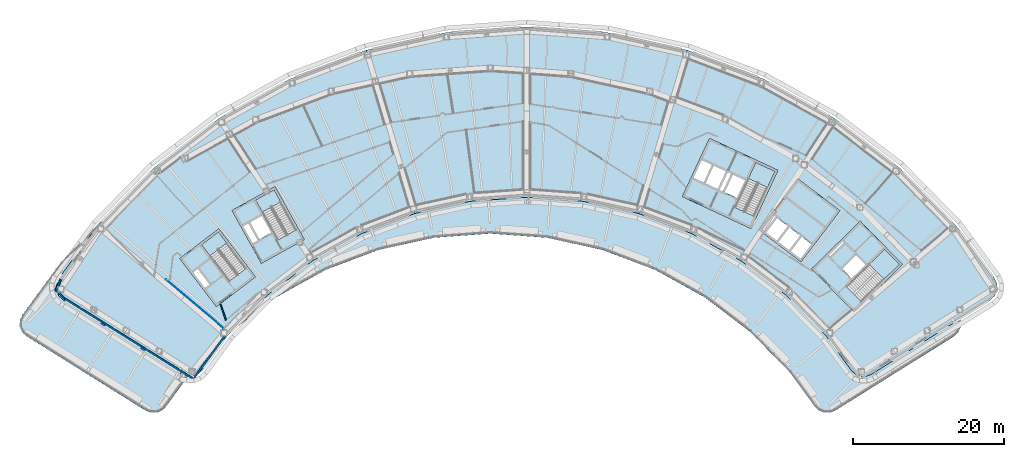
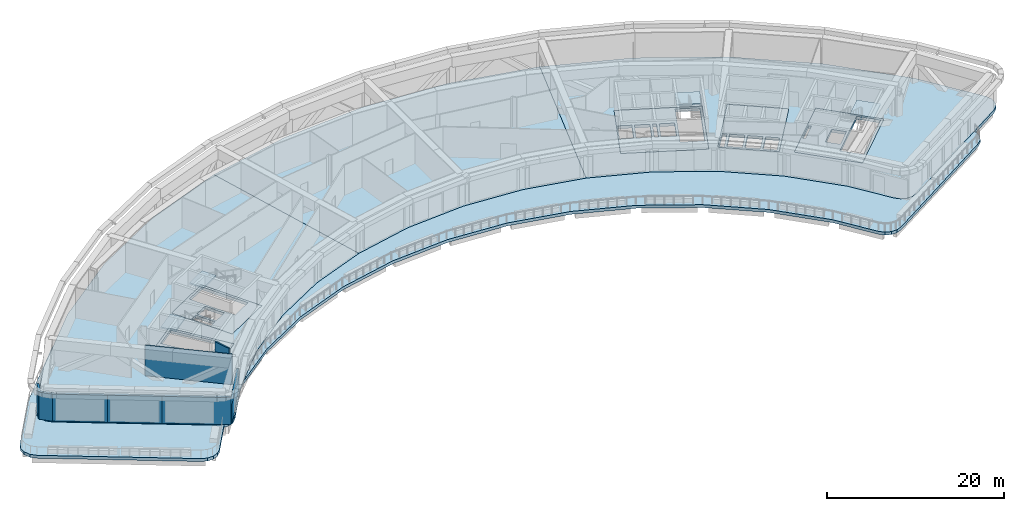
# One storey, part 6 of 25: 14 slabs, 8 walls, 4 elements without a shape of their own.
"""IFC4 building model written with IfcOpenShell, lengths in metres."""

from ifc_helpers import new_model, si_unit, direction, frame, frame_2d, origin, place, context, subcontext, project, spatial, polyline, rectangle, outline, extrude, material, layer, layer_set, type_object, element, aggregate, save


model = new_model("IFC4")

# Units and contexts
model_context = context("Model", 3, precision=1e-05, world=origin(), true_north=direction((0.0, 1.0)))
body_context = subcontext(model_context, "Body", "Model", "MODEL_VIEW")
ifc_project = project(units=[si_unit("LENGTHUNIT", "METRE"), si_unit("AREAUNIT", "SQUARE_METRE"), si_unit("VOLUMEUNIT", "CUBIC_METRE"), si_unit("PLANEANGLEUNIT", "RADIAN"), si_unit("MASSUNIT", "GRAM", prefix="KILO")], contexts=[model_context])

# Site, building, storey
site_placement = place(None, origin())
site = spatial("IfcSite", under=ifc_project, at=site_placement, CompositionType="ELEMENT")
building_placement = place(site_placement, origin())
building = spatial("IfcBuilding", under=site, at=building_placement, Name="Tuul Gate Civic Tower", CompositionType="ELEMENT")
storey_placement = place(building_placement, frame((0.0, 0.0, 60.89990234375)))
storey = spatial("IfcBuildingStorey", under=building, at=storey_placement, Name="Plant and refuge floor 2", CompositionType="ELEMENT", Elevation=60.89990234375)

# Slabs
ifc_material_1 = material(Name="Concrete C40/50", Category="concrete")
ifc_layer_1 = layer(ifc_material_1, 0.39990234375)
ifc_layer_set_1 = layer_set([ifc_layer_1], Name="Concrete C40/50")
slab_type_1 = type_object("IfcSlabType", Name="Core floor slab 400", PredefinedType="FLOOR", material=ifc_layer_set_1)
slab_1_placement = place(storey_placement, frame((0.0, 0.0, -0.400146484375)))
element("IfcSlab", 1, at=slab_1_placement, inside=storey, type_object=slab_type_1, Name="FLOOR SLAB", PredefinedType="FLOOR", context=body_context, shape_type="SweptSolid", body=[
    extrude(outline(polyline([(-31.10009765625, -13.7890625), (-35.946044921875, -7.423828125), (-41.11767578125, -11.361572265625), (-36.271484375, -17.726806640625), (-31.10009765625, -13.7890625)]), holes=[polyline([(-37.19287109375, -14.783203125), (-38.737548828125, -12.75439453125), (-39.45361328125, -13.299560546875), (-37.908935546875, -15.328369140625), (-37.19287109375, -14.783203125)]), polyline([(-32.33935546875, -12.65771484375), (-34.56591796875, -14.352783203125), (-38.229736328125, -9.54052734375), (-36.003173828125, -7.845458984375), (-32.33935546875, -12.65771484375)])]), origin(), (0.0, 0.0, 1.0), 0.400146484375),
])
slab_2_placement = place(storey_placement, frame((0.0, 0.0, -0.400146484375)))
element("IfcSlab", 2, at=slab_2_placement, inside=storey, type_object=slab_type_1, Name="FLOOR SLAB", PredefinedType="FLOOR", context=body_context, shape_type="SweptSolid", body=[
    extrude(outline(polyline([(-24.638916015625, -8.846923828125), (-28.51708984375, -1.849853515625), (-34.2021484375, -5.0009765625), (-30.32421875, -11.998046875), (-24.638916015625, -8.846923828125)]), holes=[polyline([(-29.0185546875, -7.958740234375), (-30.254638671875, -5.728515625), (-31.785400390625, -6.576904296875), (-30.54931640625, -8.80712890625), (-29.0185546875, -7.958740234375)]), polyline([(-30.8115234375, -8.95263671875), (-32.047607421875, -6.72216796875), (-32.8349609375, -7.158447265625), (-31.5986328125, -9.388916015625), (-30.8115234375, -8.95263671875)]), polyline([(-25.702392578125, -7.548828125), (-28.14990234375, -8.905517578125), (-31.08203125, -3.615234375), (-28.63427734375, -2.2587890625), (-25.702392578125, -7.548828125)])]), origin(), (0.0, 0.0, 1.0), 0.400146484375),
])
slab_3_placement = place(storey_placement, frame((0.0, 0.0, -0.400146484375)))
element("IfcSlab", 3, at=slab_3_placement, inside=storey, type_object=slab_type_1, Name="FLOOR SLAB", PredefinedType="FLOOR", context=body_context, shape_type="SweptSolid", body=[
    extrude(outline(polyline([(48.117919921875, -18.43310546875), (54.545166015625, -12.1328125), (48.945068359375, -6.419921875), (42.517822265625, -12.719970703125), (48.117919921875, -18.43310546875)]), holes=[polyline([(47.808837890625, -13.974853515625), (49.6298828125, -12.18994140625), (48.40478515625, -10.940185546875), (46.583984375, -12.72509765625), (47.808837890625, -13.974853515625)]), polyline([(44.93896484375, -11.046875), (46.760009765625, -9.261962890625), (46.514892578125, -9.011962890625), (44.69384765625, -10.797119140625), (44.93896484375, -11.046875)]), polyline([(49.086181640625, -17.062744140625), (47.12744140625, -15.064208984375), (52.160888671875, -10.130126953125), (54.11962890625, -12.128662109375), (49.086181640625, -17.062744140625)])]), origin(), (0.0, 0.0, 1.0), 0.400146484375),
])
slab_4_placement = place(storey_placement, frame((0.0, 0.0, -0.400146484375)))
element("IfcSlab", 4, at=slab_4_placement, inside=storey, type_object=slab_type_1, Name="FLOOR SLAB", PredefinedType="FLOOR", context=body_context, shape_type="SweptSolid", body=[
    extrude(outline(polyline([(34.465087890625, -7.385986328125), (38.056884765625, 0.31787109375), (28.993896484375, 4.543701171875), (25.40185546875, -3.159912109375), (34.465087890625, -7.385986328125)]), holes=[polyline([(32.60888671875, -3.32080078125), (33.6865234375, -1.009765625), (32.1005859375, -0.27001953125), (31.02294921875, -2.581298828125), (32.60888671875, -3.32080078125)]), polyline([(30.0712890625, -2.137451171875), (31.14892578125, 0.173583984375), (29.562744140625, 0.9130859375), (28.4853515625, -1.39794921875), (30.0712890625, -2.137451171875)]), polyline([(30.751220703125, -2.454345703125), (31.82861328125, -0.143310546875), (31.4208984375, 0.046875), (30.34326171875, -2.264404296875), (30.751220703125, -2.454345703125)]), polyline([(28.21337890625, -1.27099609375), (29.291015625, 1.0400390625), (27.8408203125, 1.71630859375), (26.76318359375, -0.594970703125), (28.21337890625, -1.27099609375)]), polyline([(34.889892578125, -5.7626953125), (32.353759765625, -4.580078125), (35.120849609375, 1.354736328125), (37.6572265625, 0.17236328125), (34.889892578125, -5.7626953125)])]), origin(), (0.0, 0.0, 1.0), 0.400146484375),
])
ifc_material_2 = material(Name="Concrete C40/50", Category="concrete")
ifc_layer_2 = layer(ifc_material_2, 0.39990234375)
ifc_layer_set_2 = layer_set([ifc_layer_2], Name="Concrete C40/50")
slab_type_2 = type_object("IfcSlabType", Name="Core floor slab 400 non-bearing", PredefinedType="FLOOR", material=ifc_layer_set_2)
slab_5_placement = place(storey_placement, frame((0.0, 0.0, -0.400146484375)))
element("IfcSlab", 5, at=slab_5_placement, inside=storey, type_object=slab_type_2, Name="FLOOR SLAB", PredefinedType="FLOOR", context=body_context, shape_type="SweptSolid", body=[
    extrude(outline(polyline([(41.10107421875, -11.797119140625), (46.25, -5.033935546875), (40.680908203125, -0.79296875), (35.531982421875, -7.555908203125), (41.10107421875, -11.797119140625)]), holes=[polyline([(41.044189453125, -11.37646484375), (42.497802734375, -9.467041015625), (41.22509765625, -8.49755859375), (39.77099609375, -10.4072265625), (41.044189453125, -11.37646484375)]), polyline([(39.532470703125, -10.225341796875), (40.986328125, -8.31591796875), (39.593994140625, -7.255615234375), (38.14013671875, -9.165283203125), (39.532470703125, -10.225341796875)]), polyline([(37.901611328125, -8.9833984375), (39.35546875, -7.073974609375), (37.963134765625, -6.013671875), (36.50927734375, -7.923095703125), (37.901611328125, -8.9833984375)]), polyline([(36.1796875, -7.860595703125), (37.724609375, -5.831787109375), (37.286865234375, -5.49853515625), (35.7421875, -7.527587890625), (36.1796875, -7.860595703125)])]), origin(), (0.0, 0.0, 1.0), 0.400146484375),
])

# Stair, slab
ifc_material_3 = material(Name="Concrete C40/50", Category="concrete")
stair_type = type_object("IfcStairType", Name="Exit stair", PredefinedType="HALF_TURN_STAIR", material=ifc_material_3)
stair_1_placement = place(storey_placement, origin())
stair_1 = element("IfcStair", 6, at=stair_1_placement, inside=storey, type_object=stair_type, Name="Plant and refuge floor 2 ST-1", PredefinedType="HALF_TURN_STAIR")
ifc_material_4 = material(Name="Concrete C40/50", Category="concrete")
ifc_layer_3 = layer(ifc_material_4, 0.199951171875)
ifc_layer_set_3 = layer_set([ifc_layer_3], Name="Concrete C40/50")
slab_type_3 = type_object("IfcSlabType", Name="Exit stair landing", PredefinedType="LANDING", material=ifc_layer_set_3)
slab_6_placement = place(storey_placement, frame((0.0, 0.0, 2.050048828125)))
slab_6 = element("IfcSlab", 7, at=slab_6_placement, type_object=slab_type_3, Name="ST-1 landing 1", PredefinedType="LANDING", context=body_context, shape_type="SweptSolid", body=[
    extrude(outline(polyline([(-34.88134765625, -9.31640625), (-37.1103515625, -11.013427734375), (-38.23193359375, -9.540283203125), (-36.0029296875, -7.843017578125), (-34.88134765625, -9.31640625)])), origin(), (0.0, 0.0, 1.0), 0.199951171875),
])
aggregate(stair_1, [slab_6])

stair_2_placement = place(storey_placement, origin())
stair_2 = element("IfcStair", 8, at=stair_2_placement, inside=storey, type_object=stair_type, Name="Plant and refuge floor 2 ST-2", PredefinedType="HALF_TURN_STAIR")
slab_7_placement = place(storey_placement, frame((0.0, 0.0, 2.050048828125)))
slab_7 = element("IfcSlab", 9, at=slab_7_placement, type_object=slab_type_3, Name="ST-2 landing 1", PredefinedType="LANDING", context=body_context, shape_type="SweptSolid", body=[
    extrude(outline(polyline([(-27.736083984375, -3.8759765625), (-30.1865234375, -5.234130859375), (-31.084228515625, -3.61474609375), (-28.6337890625, -2.256591796875), (-27.736083984375, -3.8759765625)])), origin(), (0.0, 0.0, 1.0), 0.199951171875),
])
aggregate(stair_2, [slab_7])

stair_3_placement = place(storey_placement, origin())
stair_3 = element("IfcStair", 10, at=stair_3_placement, inside=storey, type_object=stair_type, Name="Plant and refuge floor 2 ST-3", PredefinedType="HALF_TURN_STAIR")
slab_8_placement = place(storey_placement, frame((0.0, 0.0, 2.050048828125)))
slab_8 = element("IfcSlab", 11, at=slab_8_placement, type_object=slab_type_3, Name="ST-3 landing 1", PredefinedType="LANDING", context=body_context, shape_type="SweptSolid", body=[
    extrude(outline(polyline([(52.085693359375, -14.124755859375), (50.12451171875, -12.1240234375), (52.160888671875, -10.1279296875), (54.1220703125, -12.128662109375), (52.085693359375, -14.124755859375)])), origin(), (0.0, 0.0, 1.0), 0.199951171875),
])
aggregate(stair_3, [slab_8])

stair_4_placement = place(storey_placement, origin())
stair_4 = element("IfcStair", 12, at=stair_4_placement, inside=storey, type_object=stair_type, Name="Plant and refuge floor 2 ST-4", PredefinedType="HALF_TURN_STAIR")
slab_9_placement = place(storey_placement, frame((0.0, 0.0, 2.050048828125)))
slab_9 = element("IfcSlab", 13, at=slab_9_placement, type_object=slab_type_3, Name="ST-4 landing 1", PredefinedType="LANDING", context=body_context, shape_type="SweptSolid", body=[
    extrude(outline(polyline([(36.66552734375, -1.958251953125), (34.12646484375, -0.7744140625), (35.1201171875, 1.35693359375), (37.659423828125, 0.173095703125), (36.66552734375, -1.958251953125)])), origin(), (0.0, 0.0, 1.0), 0.199951171875),
])
aggregate(stair_4, [slab_9])

# Slabs
ifc_material_5 = material(Name="Concrete C35/45", Category="concrete")
ifc_layer_4 = layer(ifc_material_5, 0.39990234375)
ifc_layer_set_4 = layer_set([ifc_layer_4], Name="Concrete C35/45")
slab_type_4 = type_object("IfcSlabType", Name="STR-FLOOR-SLAB-400", PredefinedType="FLOOR", material=ifc_layer_set_4)
slab_10_placement = place(storey_placement, frame((0.0, 0.0, -0.400146484375)))
element("IfcSlab", 14, at=slab_10_placement, inside=storey, type_object=slab_type_4, Name="Plant and refuge floor 2/slab/W", PredefinedType="FLOOR", context=body_context, shape_type="SweptSolid", body=[
    extrude(outline(polyline([(-10.006103515625, -5.407958984375), (-16.43994140625, 16.214111328125), (-26.508056640625, 12.406982421875), (-35.923095703125, 7.18798828125), (-44.487060546875, 0.6669921875), (-52.02294921875, -7.02001953125), (-57.10302734375, -13.97607421875), (-57.43994140625, -14.718994140625), (-57.451904296875, -15.534912109375), (-57.136962890625, -16.2880859375), (-56.548095703125, -16.85205078125), (-40.818115234375, -26.680908203125), (-40.1240234375, -26.950927734375), (-39.37890625, -26.948974609375), (-38.68701171875, -26.674072265625), (-38.14306640625, -26.1650390625), (-34.81396484375, -21.60693359375), (-29.56005859375, -16.2470703125), (-23.589111328125, -11.700927734375), (-17.02490234375, -8.06298828125), (-10.006103515625, -5.407958984375)]), holes=[polyline([(-31.10009765625, -13.7890625), (-36.27197265625, -17.72705078125), (-41.117919921875, -11.362060546875), (-35.946044921875, -7.424072265625), (-31.10009765625, -13.7890625)]), polyline([(-24.638916015625, -8.846923828125), (-30.323974609375, -11.998046875), (-34.201904296875, -5.0009765625), (-28.51708984375, -1.85009765625), (-24.638916015625, -8.846923828125)])]), origin(), (0.0, 0.0, 1.0), 0.400146484375),
])
slab_11_placement = place(storey_placement, frame((0.0, 0.0, -0.400146484375)))
element("IfcSlab", 15, at=slab_11_placement, inside=storey, type_object=slab_type_4, Name="Plant and refuge floor 2/slab/M", PredefinedType="FLOOR", context=body_context, shape_type="SweptSolid", body=[
    extrude(outline(polyline([(19.6220703125, -5.407958984375), (26.055908203125, 16.214111328125), (15.5439453125, 18.531005859375), (4.80810546875, 19.30810546875), (-5.927978515625, 18.531005859375), (-16.43994140625, 16.214111328125), (-10.006103515625, -5.407958984375), (-2.677001953125, -3.79296875), (4.80810546875, -3.2509765625), (12.29296875, -3.79296875), (19.6220703125, -5.407958984375)])), origin(), (0.0, 0.0, 1.0), 0.400146484375),
])
slab_12_placement = place(storey_placement, frame((0.0, 0.0, -0.400146484375)))
element("IfcSlab", 16, at=slab_12_placement, inside=storey, type_object=slab_type_4, Name="Plant and refuge floor 2/slab/E", PredefinedType="FLOOR", context=body_context, shape_type="SweptSolid", body=[
    extrude(outline(polyline([(49.739990234375, -26.950927734375), (50.43408203125, -26.680908203125), (66.1640625, -16.85205078125), (66.75390625, -16.2880859375), (67.068115234375, -15.534912109375), (67.055908203125, -14.718994140625), (66.719970703125, -13.97607421875), (61.638916015625, -7.02001953125), (54.10400390625, 0.6669921875), (45.5400390625, 7.18798828125), (36.125, 12.406982421875), (26.055908203125, 16.214111328125), (19.6220703125, -5.407958984375), (26.64208984375, -8.06298828125), (33.2060546875, -11.700927734375), (39.177001953125, -16.2470703125), (44.429931640625, -21.60693359375), (47.760009765625, -26.1650390625), (48.302978515625, -26.674072265625), (48.9951171875, -26.948974609375), (49.739990234375, -26.950927734375)]), holes=[polyline([(48.117919921875, -18.43310546875), (42.51806640625, -12.719970703125), (48.945068359375, -6.419921875), (54.544921875, -12.133056640625), (48.117919921875, -18.43310546875)]), polyline([(35.531982421875, -7.555908203125), (40.680908203125, -0.79296875), (46.25, -5.033935546875), (41.10107421875, -11.797119140625), (35.531982421875, -7.555908203125)]), polyline([(25.402099609375, -3.159912109375), (28.993896484375, 4.5439453125), (38.056884765625, 0.318115234375), (34.465087890625, -7.385986328125), (25.402099609375, -3.159912109375)])]), origin(), (0.0, 0.0, 1.0), 0.400146484375),
])
ifc_material_6 = material(Name="Concrete C40/50", Category="concrete")
ifc_layer_5 = layer(ifc_material_6, 0.39990234375)
ifc_layer_set_5 = layer_set([ifc_layer_5], Name="Concrete C40/50")
slab_type_5 = type_object("IfcSlabType", Name="STR-TERRACE-SLAB-400", PredefinedType="ROOF", material=ifc_layer_set_5)
slab_13_placement = place(storey_placement, frame((0.0, 0.0, -0.400146484375)))
element("IfcSlab", 17, at=slab_13_placement, inside=storey, type_object=slab_type_5, Name="terrace 1", PredefinedType="ROOF", context=body_context, shape_type="SweptSolid", body=[
    extrude(outline(polyline([(62.248046875, -19.528076171875), (62.260009765625, -20.343017578125), (61.945068359375, -21.095947265625), (61.35595703125, -21.659912109375), (45.6259765625, -31.489990234375), (44.931884765625, -31.760009765625), (44.18701171875, -31.757080078125), (43.4951171875, -31.48193359375), (42.950927734375, -30.972900390625), (39.6220703125, -26.4150390625), (34.368896484375, -21.055908203125), (28.39794921875, -16.509033203125), (21.833984375, -12.87109375), (14.81396484375, -10.216064453125), (7.485107421875, -8.60107421875), (0.0, -8.05908203125), (-7.485107421875, -8.60107421875), (-14.81396484375, -10.216064453125), (-21.833984375, -12.87109375), (-28.39794921875, -16.509033203125), (-33.993896484375, -20.770263671875), (-29.56005859375, -16.2470703125), (-23.589111328125, -11.700927734375), (-17.02490234375, -8.06298828125), (-10.006103515625, -5.407958984375), (-2.677001953125, -3.79296875), (4.80810546875, -3.2509765625), (12.29296875, -3.79296875), (19.6220703125, -5.407958984375), (26.64208984375, -8.06298828125), (33.2060546875, -11.700927734375), (39.177001953125, -16.2470703125), (44.429931640625, -21.60693359375), (47.760009765625, -26.1650390625), (48.302978515625, -26.674072265625), (48.9951171875, -26.948974609375), (49.739990234375, -26.950927734375), (50.43408203125, -26.680908203125), (62.1669921875, -19.349609375), (62.248046875, -19.528076171875)])), origin(), (0.0, 0.0, 1.0), 0.400146484375),
])
slab_14_placement = place(storey_placement, frame((0.0, 0.0, -0.400146484375)))
element("IfcSlab", 18, at=slab_14_placement, inside=storey, type_object=slab_type_5, Name="terrace 2", PredefinedType="ROOF", context=body_context, shape_type="SweptSolid", body=[
    extrude(outline(polyline([(-42.950927734375, -30.972900390625), (-43.4951171875, -31.48193359375), (-44.18701171875, -31.757080078125), (-44.931884765625, -31.760009765625), (-45.6259765625, -31.489990234375), (-61.35595703125, -21.659912109375), (-61.945068359375, -21.095947265625), (-62.260009765625, -20.343017578125), (-62.248046875, -19.528076171875), (-61.910888671875, -18.784912109375), (-56.8310546875, -11.827880859375), (-49.2958984375, -4.14111328125), (-48.919677734375, -3.8544921875), (-52.02294921875, -7.02001953125), (-57.10302734375, -13.97607421875), (-57.43994140625, -14.718994140625), (-57.451904296875, -15.534912109375), (-57.136962890625, -16.2880859375), (-56.548095703125, -16.85205078125), (-40.818115234375, -26.680908203125), (-40.1240234375, -26.950927734375), (-40.01318359375, -26.95068359375), (-42.950927734375, -30.972900390625)])), origin(), (0.0, 0.0, 1.0), 0.400146484375),
])

# Walls
ifc_material_7 = material(Name="Gypsum board partition")
ifc_layer_6 = layer(ifc_material_7, 0.14990234375)
ifc_layer_set_6 = layer_set([ifc_layer_6], Name="Gypsum board partition")
wall_type_1 = type_object("IfcWallType", Name="Corridor wall P150", PredefinedType="PARTITIONING", material=ifc_layer_set_6)
wall_1_placement = place(storey_placement, frame((-35.696044921875, -17.4775390625, 0.0), z_axis=(0.0, 0.0, 1.0), x_axis=(0.324562389394, -0.945864290155, 0.0)))
element("IfcWall", 19, at=wall_1_placement, inside=storey, type_object=wall_type_1, Name="p042", PredefinedType="PARTITIONING", context=body_context, shape_type="SweptSolid", body=[
    extrude(rectangle(XDim=2.14990234375, YDim=0.14990234375, at=frame_2d((1.074951171875, 0.0))), origin(), (0.0, 0.0, 1.0), 4.2001953125),
])
ifc_material_8 = material(Name="Precast concrete C40/50", Category="concrete")
ifc_layer_7 = layer(ifc_material_8, 0.25)
ifc_layer_set_7 = layer_set([ifc_layer_7], Name="Precast concrete C40/50")
wall_type_2 = type_object("IfcWallType", Name="External wall", PredefinedType="STANDARD", material=ifc_layer_set_7)
wall_2_placement = place(storey_placement, frame((-56.8681640625, -14.116455078125, 0.0), z_axis=(0.0, 0.0, 1.0), x_axis=(-0.412327537863, -0.911035675218, 0.0)))
element("IfcWall", 20, at=wall_2_placement, inside=storey, type_object=wall_type_2, Name="External wall", PredefinedType="STANDARD", context=body_context, shape_type="SweptSolid", body=[
    extrude(rectangle(XDim=1.571533203125, YDim=0.25, at=frame_2d((0.78564453125, 0.0))), origin(), (0.0, 0.0, 1.0), 3.75),
])
wall_3_placement = place(storey_placement, frame((-57.51611328125, -15.548095703125, 0.0), z_axis=(0.0, 0.0, 1.0), x_axis=(0.722172557321, -0.691712944402, 0.0)))
element("IfcWall", 21, at=wall_3_placement, inside=storey, type_object=wall_type_2, Name="External wall", PredefinedType="STANDARD", context=body_context, shape_type="SweptSolid", body=[
    extrude(rectangle(XDim=1.571044921875, YDim=0.25, at=frame_2d((0.78564453125, 0.0))), origin(), (0.0, 0.0, 1.0), 3.75),
])
for number, where, z_axis, x_axis, name in (
    (22, (-56.40185546875, -16.618896484375, 0.0), (0.0, 0.0, 1.0), (0.848053758074, -0.529910203164, 0.0), "External wall"),
    (23, (-51.158447265625, -19.895263671875, 0.0), (0.0, 0.0, 1.0), (0.848053758074, -0.529910203164, 0.0), "External wall"),
):
    element("IfcWall", number, at=place(storey_placement, frame(where, z_axis=z_axis, x_axis=x_axis)), inside=storey, type_object=wall_type_2, Name=name, PredefinedType="STANDARD", context=body_context, shape_type="SweptSolid", body=[
        extrude(rectangle(XDim=6.182861328125, YDim=0.25, at=frame_2d((3.09130859375, 0.0))), origin(), (0.0, 0.0, 1.0), 3.75),
    ])
wall_4_placement = place(storey_placement, frame((-45.9150390625, -23.171630859375, 0.0), z_axis=(0.0, 0.0, 1.0), x_axis=(0.848049379718, -0.5299172101, 0.0)))
element("IfcWall", 24, at=wall_4_placement, inside=storey, type_object=wall_type_2, Name="External wall", PredefinedType="STANDARD", context=body_context, shape_type="SweptSolid", body=[
    extrude(rectangle(XDim=7.787109375, YDim=0.25, at=frame_2d((3.8935546875, 0.0))), origin(), (0.0, 0.0, 1.0), 3.75),
])
ifc_material_9 = material(Name="Precast concrete C40/50", Category="concrete")
ifc_layer_8 = layer(ifc_material_9, 0.25)
ifc_layer_set_8 = layer_set([ifc_layer_8], Name="Precast concrete C40/50")
wall_type_3 = type_object("IfcWallType", Name="External wall 2800 HIGH", PredefinedType="STANDARD", material=ifc_layer_set_8)
wall_5_placement = place(storey_placement, frame((-39.311279296875, -27.298095703125, 0.0), z_axis=(0.0, 0.0, 1.0), x_axis=(0.589743284347, 0.807590774197, 0.0)))
element("IfcWall", 25, at=wall_5_placement, inside=storey, type_object=wall_type_3, Name="External wall", PredefinedType="STANDARD", context=body_context, shape_type="SweptSolid", body=[
    extrude(rectangle(XDim=7.033447265625, YDim=0.25, at=frame_2d((3.5166015625, 0.0))), origin(), (0.0, 0.0, 1.0), 2.800048828125),
])
ifc_material_10 = material(Name="Gypsum board partition")
ifc_layer_9 = layer(ifc_material_10, 0.10009765625)
ifc_layer_set_9 = layer_set([ifc_layer_9], Name="Gypsum board partition")
wall_type_4 = type_object("IfcWallType", Name="Partition P100", PredefinedType="PARTITIONING", material=ifc_layer_set_9)
wall_6_placement = place(storey_placement, frame((-35.30126953125, -20.60400390625, 0.0), z_axis=(0.0, 0.0, 1.0), x_axis=(-0.762834632516, 0.646593630833, 0.0)))
element("IfcWall", 26, at=wall_6_placement, inside=storey, type_object=wall_type_4, Name="p113", PredefinedType="PARTITIONING", context=body_context, shape_type="SweptSolid", body=[
    extrude(rectangle(XDim=9.976318359375, YDim=0.10009765625, at=frame_2d((4.98828125, 0.0))), origin(), (0.0, 0.0, 1.0), 4.2001953125),
])

save(model, "model.ifc")
